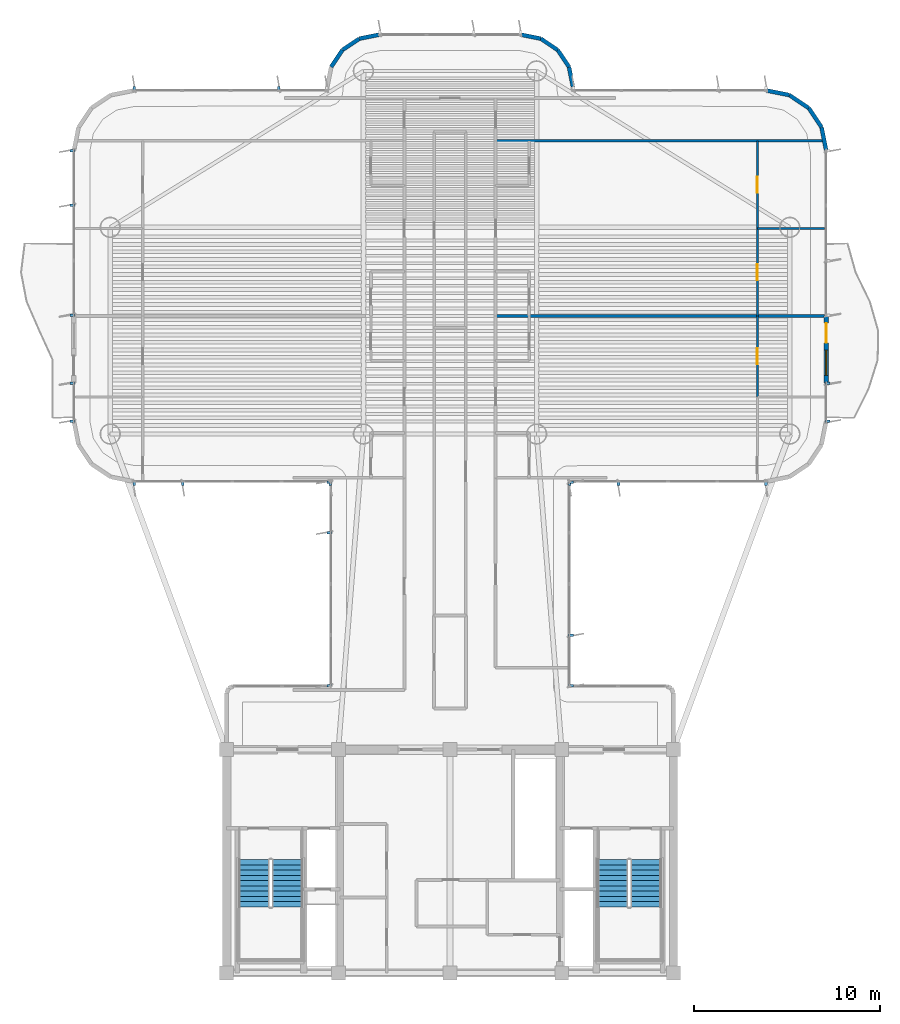
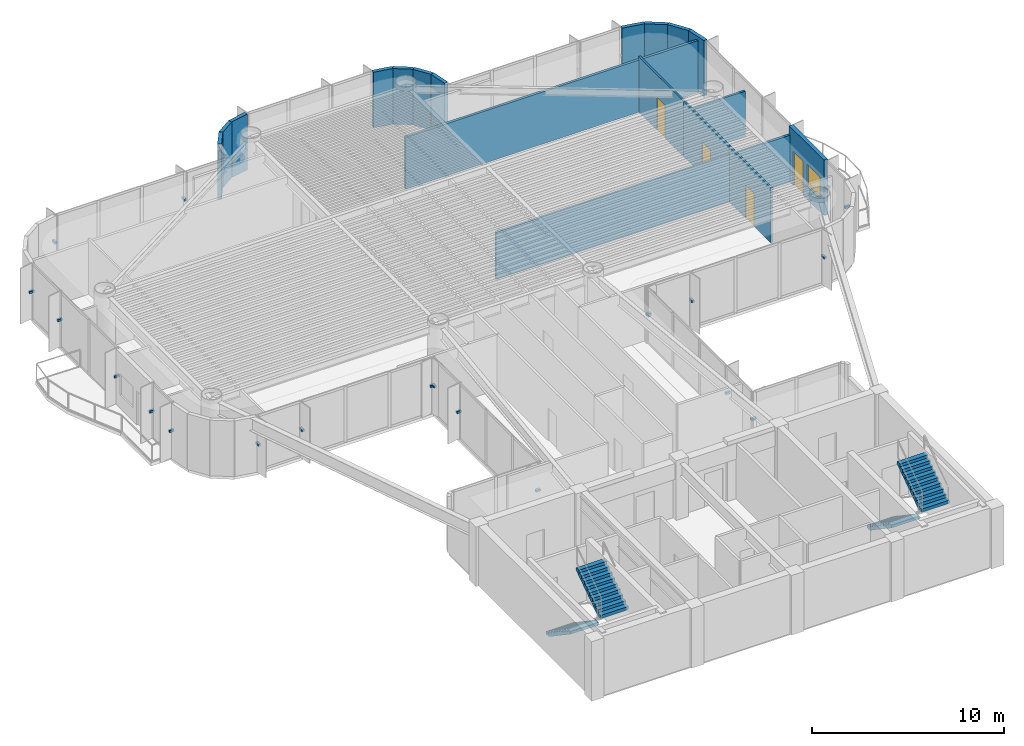
# One storey, part 12 of 15: 21 discrete accessories, 18 walls, 4 doors, 4 stair flights, 1 window, 5 openings, 2 elements without a shape of their own.
"""IFC4 building model written with IfcOpenShell, lengths in metres."""

from ifc_helpers import new_model, si_unit, direction, frame, frame_2d, origin, origin_2d, place, context, subcontext, project, spatial, polyline, rectangle, outline, extrude, source, transform, mapped, material, layer, layer_set, type_object, element, fill, aggregate, save


model = new_model("IFC4")

# Units and contexts
model_context = context("Model", 3, precision=1e-05, world=origin(), true_north=direction((0.0, 1.0)))
body_context = subcontext(model_context, "Body", "Model", "MODEL_VIEW")
ifc_project = project(units=[si_unit("LENGTHUNIT", "METRE"), si_unit("AREAUNIT", "SQUARE_METRE"), si_unit("VOLUMEUNIT", "CUBIC_METRE"), si_unit("PLANEANGLEUNIT", "RADIAN"), si_unit("MASSUNIT", "GRAM", prefix="KILO")], contexts=[model_context])

# Site, building, storey
site_placement = place(None, origin())
site = spatial("IfcSite", under=ifc_project, at=site_placement, CompositionType="ELEMENT")
building_placement = place(site_placement, origin())
building = spatial("IfcBuilding", under=site, at=building_placement, Name="Brelvock Crest Care Tower", CompositionType="ELEMENT")
storey_placement = place(building_placement, frame((0.0, 0.0, 160.199951171875)))
storey = spatial("IfcBuildingStorey", under=building, at=storey_placement, Name="L40", CompositionType="ELEMENT", Elevation=160.199951171875)

# Wall, openings, door, window
ifc_material_1 = material(Name="Precast concrete N40 (40 MPa)", Category="concrete")
ifc_layer_1 = layer(ifc_material_1, 0.239990234375, Name="WL-EX1")
ifc_layer_set_1 = layer_set([ifc_layer_1], Name="Precast concrete N40 (40 MPa)")
wall_type_1 = type_object("IfcWallType", Name="WL-EX1", PredefinedType="SOLIDWALL", material=ifc_layer_set_1)
wall_1_placement = place(storey_placement, frame((56.199951171875, 41.300048828125, 0.0), z_axis=(0.0, 0.0, 1.0), x_axis=(0.0, -1.0, 0.0)))
wall_1 = element("IfcWall", 1, at=wall_1_placement, inside=storey, type_object=wall_type_1, Name="L40 Exterior Spandrel Wall WL-BAL-L40-E", PredefinedType="SOLIDWALL", context=body_context, shape_type="SweptSolid", body=[
    extrude(rectangle(XDim=3.60009765625, YDim=0.239990234375, at=frame_2d((1.800048828125, 0.0))), origin(), (0.0, 0.0, 1.0), 3.530029296875),
])
opening_1_placement = place(wall_1_placement, frame((0.39990234375, 0.0, 0.0)))
opening_1 = element("IfcOpeningElement", 2, at=opening_1_placement, cuts=wall_1, Name="Opening BD-1", PredefinedType="OPENING", context=body_context, shape_type="SweptSolid", body=[
    extrude(rectangle(XDim=1.050048828125, YDim=2.14990234375, at=origin_2d()), frame((0.52490234375, 0.1298828125, 1.074951171875), z_axis=(0.0, -1.0, 0.0), x_axis=(1.0, 0.0, 0.0)), (0.0, 0.0, 1.0), 0.260009765625),
])
opening_2_placement = place(wall_1_placement, frame((1.85009765625, 0.0, 0.85009765625)))
opening_2 = element("IfcOpeningElement", 3, at=opening_2_placement, cuts=wall_1, Name="Opening W-01", PredefinedType="OPENING", context=body_context, shape_type="SweptSolid", body=[
    extrude(rectangle(XDim=1.35009765625, YDim=1.35009765625, at=origin_2d()), frame((0.675048828125, 0.1298828125, 0.675048828125), z_axis=(0.0, -1.0, 0.0), x_axis=(1.0, 0.0, 0.0)), (0.0, 0.0, 1.0), 0.260009765625),
])
ifc_material_2 = material(Name="Dark Glass Double Glazed Low-E", Category="glass")
door_type_1 = type_object("IfcDoorType", Name="DR-BAL1", OperationType="NOTDEFINED", PredefinedType="DOOR", material=ifc_material_2)
shared_shape_1 = source(origin(), body_context, "Body", "SweptSolid", [
    extrude(rectangle(XDim=1.050048828125, YDim=2.14990234375, at=origin_2d()), frame((0.52490234375, 0.02490234375, 1.074951171875), z_axis=(0.0, -1.0, 0.0), x_axis=(1.0, 0.0, 0.0)), (0.0, 0.0, 1.0), 0.050048828125),
])
door_1_placement = place(opening_1_placement, origin())
door_1 = element("IfcDoor", 4, at=door_1_placement, inside=storey, type_object=door_type_1, Name="L40 E Wave Balcony Glazed Door", OperationType="SINGLE_SWING_RIGHT", OverallHeight=2.14990234375, OverallWidth=1.050048828125, PredefinedType="DOOR", context=body_context, shape_type="MappedRepresentation", body=[
    mapped(shared_shape_1, transform((0.0, 0.0, 0.0), x_axis=(1.0, 0.0, 0.0), y_axis=(0.0, 1.0, 0.0), z_axis=(0.0, 0.0, 1.0), scale=1.0)),
])
fill(opening_1, door_1)
window_type = type_object("IfcWindowType", Name="WN-EX1", PartitioningType="SINGLE_PANEL", PredefinedType="WINDOW", material=ifc_material_2)
shared_shape_2 = source(origin(), body_context, "Body", "SweptSolid", [
    extrude(rectangle(XDim=1.35009765625, YDim=1.35009765625, at=origin_2d()), frame((0.675048828125, 0.030029296875, 0.675048828125), z_axis=(0.0, -1.0, 0.0), x_axis=(1.0, 0.0, 0.0)), (0.0, 0.0, 1.0), 0.06005859375),
])
window_placement = place(opening_2_placement, origin())
window = element("IfcWindow", 5, at=window_placement, inside=storey, type_object=window_type, Name="L40 E Suite Casement Window", OverallHeight=1.35009765625, OverallWidth=1.35009765625, PartitioningType="SINGLE_PANEL", PredefinedType="WINDOW", context=body_context, shape_type="MappedRepresentation", body=[
    mapped(shared_shape_2, transform((0.0, 0.0, 0.0), x_axis=(1.0, 0.0, 0.0), y_axis=(0.0, 1.0, 0.0), z_axis=(0.0, 0.0, 1.0), scale=1.0)),
])
fill(opening_2, window)

# Walls
ifc_layer_2 = layer(ifc_material_1, 0.215087890625, Name="WL-EX2")
ifc_layer_set_2 = layer_set([ifc_layer_2], Name="Precast concrete N40 (40 MPa)")
wall_type_2 = type_object("IfcWallType", Name="WL-EX2", PredefinedType="SOLIDWALL", material=ifc_layer_set_2)
wall_2_placement = place(storey_placement, frame((29.613037109375, 54.67138671875, 0.0), z_axis=(0.0, 0.0, 1.0), x_axis=(0.555679482341, 0.831396603857, 0.0)))
element("IfcWall", 6, at=wall_2_placement, inside=storey, type_object=wall_type_2, Name="L40 Rounded Corner Wall 25", PredefinedType="SOLIDWALL", context=body_context, shape_type="SweptSolid", body=[
    extrude(rectangle(XDim=1.0927734375, YDim=0.215087890625, at=frame_2d((0.54638671875, 0.0))), origin(), (0.0, 0.0, 1.0), 3.530029296875),
])
for number, where, z_axis, x_axis, name in (
    (7, (30.22021484375, 55.579833984375, 0.0), (0.0, 0.0, 1.0), (0.831327592857, 0.555782721353, 0.0), "L40 Rounded Corner Wall 26"),
    (8, (31.12841796875, 56.18701171875, 0.0), (0.0, 0.0, 1.0), (0.980829143587, 0.194869677195, 0.0), "L40 Rounded Corner Wall 27"),
    (9, (39.800048828125, 56.39990234375, 0.0), (0.0, 0.0, 1.0), (0.980829143587, -0.194869677195, 0.0), "L40 Rounded Corner Wall 29"),
    (10, (40.87158203125, 56.18701171875, 0.0), (0.0, 0.0, 1.0), (0.831327592857, -0.555782721353, 0.0), "L40 Rounded Corner Wall 30"),
):
    element("IfcWall", number, at=place(storey_placement, frame(where, z_axis=z_axis, x_axis=x_axis)), inside=storey, type_object=wall_type_2, Name=name, PredefinedType="SOLIDWALL", context=body_context, shape_type="SweptSolid", body=[
        extrude(rectangle(XDim=1.092529296875, YDim=0.215087890625, at=frame_2d((0.54638671875, 0.0))), origin(), (0.0, 0.0, 1.0), 3.530029296875),
    ])
wall_3_placement = place(storey_placement, frame((41.77978515625, 55.579833984375, 0.0), z_axis=(0.0, 0.0, 1.0), x_axis=(0.555679482341, -0.831396603857, 0.0)))
element("IfcWall", 11, at=wall_3_placement, inside=storey, type_object=wall_type_2, Name="L40 Rounded Corner Wall 31", PredefinedType="SOLIDWALL", context=body_context, shape_type="SweptSolid", body=[
    extrude(rectangle(XDim=1.0927734375, YDim=0.215087890625, at=frame_2d((0.54638671875, 0.0))), origin(), (0.0, 0.0, 1.0), 3.530029296875),
])
wall_4_placement = place(storey_placement, frame((42.386962890625, 54.67138671875, 0.0), z_axis=(0.0, 0.0, 1.0), x_axis=(0.195127417394, -0.980777900945, 0.0)))
element("IfcWall", 12, at=wall_4_placement, inside=storey, type_object=wall_type_2, Name="L40 Rounded Corner Wall 32", PredefinedType="SOLIDWALL", context=body_context, shape_type="SweptSolid", body=[
    extrude(rectangle(XDim=1.09228515625, YDim=0.215087890625, at=frame_2d((0.546142578125, 0.0))), origin(), (0.0, 0.0, 1.0), 3.530029296875),
])
for number, where, z_axis, x_axis, name in (
    (13, (53.0, 53.39990234375, 0.0), (0.0, 0.0, 1.0), (0.980813122964, -0.194950295773, 0.0), "L40 Rounded Corner Wall 35"),
    (14, (54.224609375, 53.156494140625, 0.0), (0.0, 0.0, 1.0), (0.831387912822, -0.555692485475, 0.0), "L40 Rounded Corner Wall 36"),
    (15, (55.2626953125, 52.462646484375, 0.0), (0.0, 0.0, 1.0), (0.555557312883, -0.831478245117, 0.0), "L40 Rounded Corner Wall 37"),
    (16, (55.956298828125, 51.424560546875, 0.0), (0.0, 0.0, 1.0), (0.195138390419, -0.980775717779, 0.0), "L40 Rounded Corner Wall 38"),
):
    element("IfcWall", number, at=place(storey_placement, frame(where, z_axis=z_axis, x_axis=x_axis)), inside=storey, type_object=wall_type_2, Name=name, PredefinedType="SOLIDWALL", context=body_context, shape_type="SweptSolid", body=[
        extrude(rectangle(XDim=1.24853515625, YDim=0.215087890625, at=frame_2d((0.624267578125, 0.0))), origin(), (0.0, 0.0, 1.0), 3.530029296875),
    ])
ifc_material_3 = material(Name="Masonry Blockwork Acoustic Partition", Category="masonry")
ifc_layer_3 = layer(ifc_material_3, 0.14990234375, Name="WL-INT1")
ifc_layer_set_3 = layer_set([ifc_layer_3], Name="Masonry Blockwork Acoustic Partition")
wall_type_3 = type_object("IfcWallType", Name="WL-INT1", PredefinedType="PARTITIONING", material=ifc_layer_set_3)
wall_5_placement = place(storey_placement, frame((38.449951171875, 41.2880859375, 0.0), z_axis=(0.0, 0.0, 1.0), x_axis=(1.0, 0.0, 0.0)))
element("IfcWall", 17, at=wall_5_placement, inside=storey, type_object=wall_type_3, Name="L40 Interior Wall WL-BX-L40-FL-EF1-N", PredefinedType="PARTITIONING", context=body_context, shape_type="SweptSolid", body=[
    extrude(rectangle(XDim=17.670166015625, YDim=0.14990234375, at=frame_2d((8.8349609375, 0.0))), origin(), (0.0, 0.0, 1.0), 2.98193359375),
])
wall_6_placement = place(storey_placement, frame((38.449951171875, 50.699951171875, 0.0), z_axis=(0.0, 0.0, 1.0), x_axis=(1.0, 0.0, 0.0)))
element("IfcWall", 18, at=wall_6_placement, inside=storey, type_object=wall_type_3, Name="L40 Interior Wall WL-BX-L40-FL-EF2-N", PredefinedType="PARTITIONING", context=body_context, shape_type="SweptSolid", body=[
    extrude(rectangle(XDim=17.569091796875, YDim=0.14990234375, at=frame_2d((8.78466796875, 0.0))), origin(), (0.0, 0.0, 1.0), 3.30810546875),
])
ifc_material_4 = material(Name="Gypsum Plasterboard Partition", Category="gypsum")
ifc_layer_4 = layer(ifc_material_4, 0.1201171875, Name="WL-INT2")
ifc_layer_set_4 = layer_set([ifc_layer_4], Name="Gypsum Plasterboard Partition")
wall_type_4 = type_object("IfcWallType", Name="WL-INT2", PredefinedType="PARTITIONING", material=ifc_layer_set_4)
wall_7_placement = place(storey_placement, frame((52.510009765625, 45.993896484375, 0.0), z_axis=(0.0, 0.0, 1.0), x_axis=(1.0, 0.0, 0.0)))
element("IfcWall", 19, at=wall_7_placement, inside=storey, type_object=wall_type_4, Name="L40 Interior Wall WL-UBSP-L40-EF2", PredefinedType="PARTITIONING", context=body_context, shape_type="SweptSolid", body=[
    extrude(rectangle(XDim=3.610107421875, YDim=0.1201171875, at=frame_2d((1.80517578125, 0.0))), origin(), (0.0, 0.0, 1.0), 2.903076171875),
])

# Wall, opening, door
wall_8_placement = place(storey_placement, frame((52.510009765625, 36.944091796875, 0.0), z_axis=(0.0, 0.0, 1.0), x_axis=(0.0, 1.0, 0.0)))
wall_8 = element("IfcWall", 20, at=wall_8_placement, inside=storey, type_object=wall_type_4, Name="L40 Interior Wall WL-UBD2-L40-EF1", PredefinedType="PARTITIONING", context=body_context, shape_type="SweptSolid", body=[
    extrude(rectangle(XDim=4.343994140625, YDim=0.1201171875, at=frame_2d((2.171875, 0.0))), origin(), (0.0, 0.0, 1.0), 3.5),
])
opening_3_placement = place(wall_8_placement, frame((1.741943359375, 0.0, 0.0)))
opening_3 = element("IfcOpeningElement", 21, at=opening_3_placement, cuts=wall_8, Name="Opening ID-1", PredefinedType="OPENING", context=body_context, shape_type="SweptSolid", body=[
    extrude(rectangle(XDim=0.860107421875, YDim=2.10009765625, at=origin_2d()), frame((0.43017578125, 0.070068359375, 1.050048828125), z_axis=(0.0, -1.0, 0.0), x_axis=(1.0, 0.0, 0.0)), (0.0, 0.0, 1.0), 0.14013671875),
])
ifc_material_5 = material(Name="Engineered Hardwood Timber", Category="wood")
door_type_2 = type_object("IfcDoorType", Name="DR-INT1", OperationType="NOTDEFINED", PredefinedType="DOOR", material=ifc_material_5)
shared_shape_3 = source(origin(), body_context, "Body", "SweptSolid", [
    extrude(rectangle(XDim=0.860107421875, YDim=2.10009765625, at=origin_2d()), frame((0.43017578125, 0.02490234375, 1.050048828125), z_axis=(0.0, -1.0, 0.0), x_axis=(1.0, 0.0, 0.0)), (0.0, 0.0, 1.0), 0.050048828125),
])
door_2_placement = place(opening_3_placement, origin())
door_2 = element("IfcDoor", 22, at=door_2_placement, inside=storey, type_object=door_type_2, Name="L40 Second Room Door EF1", OperationType="SINGLE_SWING_LEFT", OverallHeight=2.10009765625, OverallWidth=0.860107421875, PredefinedType="DOOR", context=body_context, shape_type="MappedRepresentation", body=[
    mapped(shared_shape_3, transform((0.0, 0.0, 0.0), x_axis=(1.0, 0.0, 0.0), y_axis=(0.0, 1.0, 0.0), z_axis=(0.0, 0.0, 1.0), scale=1.0)),
])
fill(opening_3, door_2)

wall_9_placement = place(storey_placement, frame((52.510009765625, 41.2880859375, 0.0), z_axis=(0.0, 0.0, 1.0), x_axis=(0.0, 1.0, 0.0)))
wall_9 = element("IfcWall", 23, at=wall_9_placement, inside=storey, type_object=wall_type_4, Name="L40 Interior Wall WL-UBD1-L40-EF2", PredefinedType="PARTITIONING", context=body_context, shape_type="SweptSolid", body=[
    extrude(rectangle(XDim=4.705810546875, YDim=0.1201171875, at=frame_2d((2.35302734375, 0.0))), origin(), (0.0, 0.0, 1.0), 3.5),
])
opening_4_placement = place(wall_9_placement, frame((1.923095703125, 0.0, 0.0)))
opening_4 = element("IfcOpeningElement", 24, at=opening_4_placement, cuts=wall_9, Name="Opening ID-1", PredefinedType="OPENING", context=body_context, shape_type="SweptSolid", body=[
    extrude(rectangle(XDim=0.860107421875, YDim=2.10009765625, at=origin_2d()), frame((0.43017578125, 0.070068359375, 1.050048828125), z_axis=(0.0, -1.0, 0.0), x_axis=(1.0, 0.0, 0.0)), (0.0, 0.0, 1.0), 0.14013671875),
])
door_3_placement = place(opening_4_placement, origin())
door_3 = element("IfcDoor", 25, at=door_3_placement, inside=storey, type_object=door_type_2, Name="L40 Primary Bedroom Door EF2", OperationType="SINGLE_SWING_RIGHT", OverallHeight=2.10009765625, OverallWidth=0.860107421875, PredefinedType="DOOR", context=body_context, shape_type="MappedRepresentation", body=[
    mapped(shared_shape_3, transform((0.0, 0.0, 0.0), x_axis=(1.0, 0.0, 0.0), y_axis=(0.0, 1.0, 0.0), z_axis=(0.0, 0.0, 1.0), scale=1.0)),
])
fill(opening_4, door_3)

wall_10_placement = place(storey_placement, frame((52.510009765625, 45.993896484375, 0.0), z_axis=(0.0, 0.0, 1.0), x_axis=(0.0, 1.0, 0.0)))
wall_10 = element("IfcWall", 26, at=wall_10_placement, inside=storey, type_object=wall_type_4, Name="L40 Interior Wall WL-UBD2-L40-EF2", PredefinedType="PARTITIONING", context=body_context, shape_type="SweptSolid", body=[
    extrude(rectangle(XDim=4.7060546875, YDim=0.1201171875, at=frame_2d((2.35302734375, 0.0))), origin(), (0.0, 0.0, 1.0), 3.5),
])
opening_5_placement = place(wall_10_placement, frame((1.923095703125, 0.0, 0.0)))
opening_5 = element("IfcOpeningElement", 27, at=opening_5_placement, cuts=wall_10, Name="Opening ID-1", PredefinedType="OPENING", context=body_context, shape_type="SweptSolid", body=[
    extrude(rectangle(XDim=0.860107421875, YDim=2.10009765625, at=origin_2d()), frame((0.43017578125, 0.070068359375, 1.050048828125), z_axis=(0.0, -1.0, 0.0), x_axis=(1.0, 0.0, 0.0)), (0.0, 0.0, 1.0), 0.14013671875),
])
door_4_placement = place(opening_5_placement, origin())
door_4 = element("IfcDoor", 28, at=door_4_placement, inside=storey, type_object=door_type_2, Name="L40 Second Room Door EF2", OperationType="SINGLE_SWING_LEFT", OverallHeight=2.10009765625, OverallWidth=0.860107421875, PredefinedType="DOOR", context=body_context, shape_type="MappedRepresentation", body=[
    mapped(shared_shape_3, transform((0.0, 0.0, 0.0), x_axis=(1.0, 0.0, 0.0), y_axis=(0.0, 1.0, 0.0), z_axis=(0.0, 0.0, 1.0), scale=1.0)),
])
fill(opening_5, door_4)

# Stair, stair flights
ifc_material_6 = material(Name="Concrete N40 (40 MPa)", Category="concrete")
stair_type = type_object("IfcStairType", Name="ST-CORE1", PredefinedType="HALF_TURN_STAIR", material=ifc_material_6)
stair_1_placement = place(storey_placement, origin())
stair_1 = element("IfcStair", 29, at=stair_1_placement, inside=storey, type_object=stair_type, Name="L40 Fire-Isolated Core Stair ST-1", PredefinedType="HALF_TURN_STAIR")
stair_flight_type = type_object("IfcStairFlightType", Name="STF-1", PredefinedType="STRAIGHT", material=ifc_material_6)
stair_flight_1_placement = place(storey_placement, frame((25.469970703125, 12.080078125, 0.0), z_axis=(0.0, 0.0, 1.0), x_axis=(0.0, -1.0, 0.0)))
stair_flight_1 = element("IfcStairFlight", 30, at=stair_flight_1_placement, type_object=stair_flight_type, Name="ST-1 flight 1", NumberOfRisers=10, NumberOfTreads=9, PredefinedType="STRAIGHT", RiserHeight=0.189, TreadLength=0.28, context=body_context, shape_type="SweptSolid", body=[
    extrude(outline(polyline([(-0.00390625, -0.014892578125), (-0.00390625, -0.0078125), (-0.00390625, -0.00048828125), (-0.00390625, 0.0068359375), (-0.00390625, 0.01416015625), (-0.00390625, 0.021484375), (-0.00390625, 0.02880859375), (-0.00390625, 0.035888671875), (-0.00390625, 0.043212890625), (-0.00390625, 0.050537109375), (-0.00390625, 0.057861328125), (-0.00390625, 0.065185546875), (-0.00390625, 0.072509765625), (-0.00390625, 0.07958984375), (-0.00390625, 0.0869140625), (-0.00390625, 0.09423828125), (-0.00390625, 0.1015625), (-0.00390625, 0.10888671875), (-0.00390625, 0.1162109375), (-0.00390625, 0.12353515625), (-0.00390625, 0.130615234375), (-0.00390625, 0.137939453125), (-0.00390625, 0.145263671875), (-0.00390625, 0.152587890625), (-0.00390625, 0.159912109375), (-0.00390625, 0.167236328125), (-0.00390625, 0.17431640625), (-0.00390625, 0.181640625), (-0.00390625, 0.18896484375), (0.0, 0.18896484375), (0.280029296875, 0.18896484375), (0.280029296875, 0.3779296875), (0.56005859375, 0.3779296875), (0.56005859375, 0.56689453125), (0.840087890625, 0.56689453125), (0.840087890625, 0.756103515625), (1.1201171875, 0.756103515625), (1.1201171875, 0.945068359375), (1.39990234375, 0.945068359375), (1.39990234375, 1.134033203125), (1.679931640625, 1.134033203125), (1.679931640625, 1.322998046875), (1.9599609375, 1.322998046875), (1.9599609375, 1.511962890625), (2.239990234375, 1.511962890625), (2.239990234375, 1.700927734375), (2.52001953125, 1.700927734375), (2.52392578125, 1.700927734375), (2.523681640625, 1.70068359375), (2.52392578125, 1.700439453125), (2.523681640625, 1.699951171875), (2.52392578125, 1.69970703125), (2.523681640625, 1.699462890625), (2.52392578125, 1.698974609375), (2.523681640625, 1.69873046875), (2.52392578125, 1.698486328125), (2.523681640625, 1.697998046875), (2.52392578125, 1.69775390625), (2.523681640625, 1.697509765625), (2.52392578125, 1.697021484375), (2.523681640625, 1.69677734375), (2.52392578125, 1.696533203125), (2.523681640625, 1.6962890625), (2.52392578125, 1.69580078125), (2.523681640625, 1.695556640625), (2.52392578125, 1.6953125), (2.523681640625, 1.69482421875), (2.52392578125, 1.694580078125), (2.523681640625, 1.6943359375), (2.52392578125, 1.69384765625), (2.523681640625, 1.693603515625), (2.52392578125, 1.693359375), (2.523681640625, 1.69287109375), (2.52392578125, 1.692626953125), (2.523681640625, 1.6923828125), (2.52392578125, 1.69189453125), (2.52001953125, 1.520263671875), (0.267822265625, 0.0), (0.0, 0.0), (0.0, -0.014892578125), (-0.00390625, -0.014892578125)])), frame((0.0, 0.83984375, 0.0), z_axis=(0.0, -1.0, 0.0), x_axis=(1.0, 0.0, 0.0)), (0.0, 0.0, 1.0), 1.679931640625),
])
stair_flight_2_placement = place(storey_placement, frame((27.27001953125, 9.56005859375, 1.89013671875), z_axis=(0.0, 0.0, 1.0), x_axis=(0.0, 1.0, 0.0)))
stair_flight_2 = element("IfcStairFlight", 31, at=stair_flight_2_placement, type_object=stair_flight_type, Name="ST-1 flight 2", NumberOfRisers=10, NumberOfTreads=9, PredefinedType="STRAIGHT", RiserHeight=0.189, TreadLength=0.28, context=body_context, shape_type="SweptSolid", body=[
    extrude(outline(polyline([(-0.00390625, -0.014892578125), (-0.00390625, -0.0078125), (-0.00390625, -0.00048828125), (-0.00390625, 0.0068359375), (-0.00390625, 0.01416015625), (-0.00390625, 0.021484375), (-0.00390625, 0.02880859375), (-0.00390625, 0.035888671875), (-0.00390625, 0.043212890625), (-0.00390625, 0.050537109375), (-0.00390625, 0.057861328125), (-0.00390625, 0.065185546875), (-0.00390625, 0.072509765625), (-0.00390625, 0.07958984375), (-0.00390625, 0.0869140625), (-0.00390625, 0.09423828125), (-0.00390625, 0.1015625), (-0.00390625, 0.10888671875), (-0.00390625, 0.1162109375), (-0.00390625, 0.12353515625), (-0.00390625, 0.130615234375), (-0.00390625, 0.137939453125), (-0.00390625, 0.145263671875), (-0.00390625, 0.152587890625), (-0.00390625, 0.159912109375), (-0.00390625, 0.167236328125), (-0.00390625, 0.17431640625), (-0.00390625, 0.181640625), (-0.00390625, 0.18896484375), (0.0, 0.18896484375), (0.280029296875, 0.18896484375), (0.280029296875, 0.3779296875), (0.56005859375, 0.3779296875), (0.56005859375, 0.56689453125), (0.840087890625, 0.56689453125), (0.840087890625, 0.756103515625), (1.1201171875, 0.756103515625), (1.1201171875, 0.945068359375), (1.39990234375, 0.945068359375), (1.39990234375, 1.134033203125), (1.679931640625, 1.134033203125), (1.679931640625, 1.322998046875), (1.9599609375, 1.322998046875), (1.9599609375, 1.511962890625), (2.239990234375, 1.511962890625), (2.239990234375, 1.700927734375), (2.52001953125, 1.700927734375), (2.52392578125, 1.700927734375), (2.523681640625, 1.70068359375), (2.52392578125, 1.700439453125), (2.523681640625, 1.699951171875), (2.52392578125, 1.69970703125), (2.523681640625, 1.699462890625), (2.52392578125, 1.698974609375), (2.523681640625, 1.69873046875), (2.52392578125, 1.698486328125), (2.523681640625, 1.697998046875), (2.52392578125, 1.69775390625), (2.523681640625, 1.697509765625), (2.52392578125, 1.697021484375), (2.523681640625, 1.69677734375), (2.52392578125, 1.696533203125), (2.523681640625, 1.6962890625), (2.52392578125, 1.69580078125), (2.523681640625, 1.695556640625), (2.52392578125, 1.6953125), (2.523681640625, 1.69482421875), (2.52392578125, 1.694580078125), (2.523681640625, 1.6943359375), (2.52392578125, 1.69384765625), (2.523681640625, 1.693603515625), (2.52392578125, 1.693359375), (2.523681640625, 1.69287109375), (2.52392578125, 1.692626953125), (2.523681640625, 1.6923828125), (2.52392578125, 1.69189453125), (2.52001953125, 1.520263671875), (0.267822265625, 0.0), (0.0, 0.0), (0.0, -0.014892578125), (-0.00390625, -0.014892578125)])), frame((0.0, 0.83984375, 0.0), z_axis=(0.0, -1.0, 0.0), x_axis=(1.0, 0.0, 0.0)), (0.0, 0.0, 1.0), 1.679931640625),
])
aggregate(stair_1, [stair_flight_1, stair_flight_2])

stair_2_placement = place(storey_placement, origin())
stair_2 = element("IfcStair", 32, at=stair_2_placement, inside=storey, type_object=stair_type, Name="L40 Fire-Isolated Core Stair ST-2", PredefinedType="HALF_TURN_STAIR")
stair_flight_3_placement = place(storey_placement, frame((44.72998046875, 12.080078125, 0.0), z_axis=(0.0, 0.0, 1.0), x_axis=(0.0, -1.0, 0.0)))
stair_flight_3 = element("IfcStairFlight", 33, at=stair_flight_3_placement, type_object=stair_flight_type, Name="ST-2 flight 1", NumberOfRisers=10, NumberOfTreads=9, PredefinedType="STRAIGHT", RiserHeight=0.189, TreadLength=0.28, context=body_context, shape_type="SweptSolid", body=[
    extrude(outline(polyline([(-0.00390625, -0.014892578125), (-0.00390625, -0.0078125), (-0.00390625, -0.00048828125), (-0.00390625, 0.0068359375), (-0.00390625, 0.01416015625), (-0.00390625, 0.021484375), (-0.00390625, 0.02880859375), (-0.00390625, 0.035888671875), (-0.00390625, 0.043212890625), (-0.00390625, 0.050537109375), (-0.00390625, 0.057861328125), (-0.00390625, 0.065185546875), (-0.00390625, 0.072509765625), (-0.00390625, 0.07958984375), (-0.00390625, 0.0869140625), (-0.00390625, 0.09423828125), (-0.00390625, 0.1015625), (-0.00390625, 0.10888671875), (-0.00390625, 0.1162109375), (-0.00390625, 0.12353515625), (-0.00390625, 0.130615234375), (-0.00390625, 0.137939453125), (-0.00390625, 0.145263671875), (-0.00390625, 0.152587890625), (-0.00390625, 0.159912109375), (-0.00390625, 0.167236328125), (-0.00390625, 0.17431640625), (-0.00390625, 0.181640625), (-0.00390625, 0.18896484375), (0.0, 0.18896484375), (0.280029296875, 0.18896484375), (0.280029296875, 0.3779296875), (0.56005859375, 0.3779296875), (0.56005859375, 0.56689453125), (0.840087890625, 0.56689453125), (0.840087890625, 0.756103515625), (1.1201171875, 0.756103515625), (1.1201171875, 0.945068359375), (1.39990234375, 0.945068359375), (1.39990234375, 1.134033203125), (1.679931640625, 1.134033203125), (1.679931640625, 1.322998046875), (1.9599609375, 1.322998046875), (1.9599609375, 1.511962890625), (2.239990234375, 1.511962890625), (2.239990234375, 1.700927734375), (2.52001953125, 1.700927734375), (2.52392578125, 1.700927734375), (2.523681640625, 1.70068359375), (2.52392578125, 1.700439453125), (2.523681640625, 1.699951171875), (2.52392578125, 1.69970703125), (2.523681640625, 1.699462890625), (2.52392578125, 1.698974609375), (2.523681640625, 1.69873046875), (2.52392578125, 1.698486328125), (2.523681640625, 1.697998046875), (2.52392578125, 1.69775390625), (2.523681640625, 1.697509765625), (2.52392578125, 1.697021484375), (2.523681640625, 1.69677734375), (2.52392578125, 1.696533203125), (2.523681640625, 1.6962890625), (2.52392578125, 1.69580078125), (2.523681640625, 1.695556640625), (2.52392578125, 1.6953125), (2.523681640625, 1.69482421875), (2.52392578125, 1.694580078125), (2.523681640625, 1.6943359375), (2.52392578125, 1.69384765625), (2.523681640625, 1.693603515625), (2.52392578125, 1.693359375), (2.523681640625, 1.69287109375), (2.52392578125, 1.692626953125), (2.523681640625, 1.6923828125), (2.52392578125, 1.69189453125), (2.52001953125, 1.520263671875), (0.267822265625, 0.0), (0.0, 0.0), (0.0, -0.014892578125), (-0.00390625, -0.014892578125)])), frame((0.0, 0.83984375, 0.0), z_axis=(0.0, -1.0, 0.0), x_axis=(1.0, 0.0, 0.0)), (0.0, 0.0, 1.0), 1.679931640625),
])
stair_flight_4_placement = place(storey_placement, frame((46.530029296875, 9.56005859375, 1.89013671875), z_axis=(0.0, 0.0, 1.0), x_axis=(0.0, 1.0, 0.0)))
stair_flight_4 = element("IfcStairFlight", 34, at=stair_flight_4_placement, type_object=stair_flight_type, Name="ST-2 flight 2", NumberOfRisers=10, NumberOfTreads=9, PredefinedType="STRAIGHT", RiserHeight=0.189, TreadLength=0.28, context=body_context, shape_type="SweptSolid", body=[
    extrude(outline(polyline([(-0.00390625, -0.014892578125), (-0.00390625, -0.0078125), (-0.00390625, -0.00048828125), (-0.00390625, 0.0068359375), (-0.00390625, 0.01416015625), (-0.00390625, 0.021484375), (-0.00390625, 0.02880859375), (-0.00390625, 0.035888671875), (-0.00390625, 0.043212890625), (-0.00390625, 0.050537109375), (-0.00390625, 0.057861328125), (-0.00390625, 0.065185546875), (-0.00390625, 0.072509765625), (-0.00390625, 0.07958984375), (-0.00390625, 0.0869140625), (-0.00390625, 0.09423828125), (-0.00390625, 0.1015625), (-0.00390625, 0.10888671875), (-0.00390625, 0.1162109375), (-0.00390625, 0.12353515625), (-0.00390625, 0.130615234375), (-0.00390625, 0.137939453125), (-0.00390625, 0.145263671875), (-0.00390625, 0.152587890625), (-0.00390625, 0.159912109375), (-0.00390625, 0.167236328125), (-0.00390625, 0.17431640625), (-0.00390625, 0.181640625), (-0.00390625, 0.18896484375), (0.0, 0.18896484375), (0.280029296875, 0.18896484375), (0.280029296875, 0.3779296875), (0.56005859375, 0.3779296875), (0.56005859375, 0.56689453125), (0.840087890625, 0.56689453125), (0.840087890625, 0.756103515625), (1.1201171875, 0.756103515625), (1.1201171875, 0.945068359375), (1.39990234375, 0.945068359375), (1.39990234375, 1.134033203125), (1.679931640625, 1.134033203125), (1.679931640625, 1.322998046875), (1.9599609375, 1.322998046875), (1.9599609375, 1.511962890625), (2.239990234375, 1.511962890625), (2.239990234375, 1.700927734375), (2.52001953125, 1.700927734375), (2.52392578125, 1.700927734375), (2.523681640625, 1.70068359375), (2.52392578125, 1.700439453125), (2.523681640625, 1.699951171875), (2.52392578125, 1.69970703125), (2.523681640625, 1.699462890625), (2.52392578125, 1.698974609375), (2.523681640625, 1.69873046875), (2.52392578125, 1.698486328125), (2.523681640625, 1.697998046875), (2.52392578125, 1.69775390625), (2.523681640625, 1.697509765625), (2.52392578125, 1.697021484375), (2.523681640625, 1.69677734375), (2.52392578125, 1.696533203125), (2.523681640625, 1.6962890625), (2.52392578125, 1.69580078125), (2.523681640625, 1.695556640625), (2.52392578125, 1.6953125), (2.523681640625, 1.69482421875), (2.52392578125, 1.694580078125), (2.523681640625, 1.6943359375), (2.52392578125, 1.69384765625), (2.523681640625, 1.693603515625), (2.52392578125, 1.693359375), (2.523681640625, 1.69287109375), (2.52392578125, 1.692626953125), (2.523681640625, 1.6923828125), (2.52392578125, 1.69189453125), (2.52001953125, 1.520263671875), (0.267822265625, 0.0), (0.0, 0.0), (0.0, -0.014892578125), (-0.00390625, -0.014892578125)])), frame((0.0, 0.83984375, 0.0), z_axis=(0.0, -1.0, 0.0), x_axis=(1.0, 0.0, 0.0)), (0.0, 0.0, 1.0), 1.679931640625),
])
aggregate(stair_2, [stair_flight_3, stair_flight_4])

# Discrete accessories
ifc_material_7 = material(Name="Steel Grade 350", Category="steel")
discrete_accessory_type = type_object("IfcDiscreteAccessoryType", Name="ACC-BRK1", PredefinedType="BRACKET", material=ifc_material_7)
shared_shape_4 = source(origin(), body_context, "Body", "SweptSolid", [
    extrude(rectangle(XDim=0.280029296875, YDim=0.139892578125, at=origin_2d()), origin(), (0.0, 0.0, 1.0), 0.139892578125),
])
for number, where, z_axis, x_axis, name in (
    (35, (29.52001953125, 21.429931640625, 1.6953125), (0.0, 0.0, 1.0), (-1.0, 0.0, 0.0), "L40 Facade Fin Bracket E11-01"),
    (36, (29.52001953125, 29.64990234375, 1.6953125), (0.0, 0.0, 1.0), (-1.0, 0.0, 0.0), "L40 Facade Fin Bracket E11-04"),
    (37, (29.52001953125, 32.3701171875, 1.6953125), (0.0, 0.0, 1.0), (-1.0, 0.0, 0.0), "L40 Facade Fin Bracket E11-05"),
    (38, (29.570068359375, 32.320068359375, 1.6953125), (0.0, 0.0, 1.0), (0.0, -1.0, 0.0), "L40 Facade Fin Bracket E12-01"),
    (39, (21.64990234375, 32.320068359375, 1.6953125), (0.0, 0.0, 1.0), (0.0, -1.0, 0.0), "L40 Facade Fin Bracket E12-04"),
    (40, (19.030029296875, 32.320068359375, 1.6953125), (0.0, 0.0, 1.0), (0.0, -1.0, 0.0), "L40 Facade Fin Bracket E12-05"),
    (41, (15.719970703125, 35.6298828125, 1.6953125), (0.0, 0.0, 1.0), (-1.0, 0.0, 0.0), "L40 Facade Fin Bracket E17A-01"),
    (42, (15.719970703125, 37.669921875, 1.6953125), (0.0, 0.0, 1.0), (-1.0, 0.0, 0.0), "L40 Facade Fin Bracket E17A-02"),
    (43, (15.719970703125, 41.330078125, 1.6953125), (0.0, 0.0, 1.0), (-1.0, 0.0, 0.0), "L40 Facade Fin Bracket E17B-01"),
    (44, (15.719970703125, 47.2333984375, 1.6953125), (0.0, 0.0, 1.0), (-1.0, 0.0, 0.0), "L40 Facade Fin Bracket E17B-03"),
    (45, (15.719970703125, 50.169921875, 1.6953125), (0.0, 0.0, 1.0), (-1.0, 0.0, 0.0), "L40 Facade Fin Bracket E17B-04"),
    (46, (19.030029296875, 53.47998046875, 1.6953125), (0.0, 0.0, 1.0), (0.0, 1.0, 0.0), "L40 Facade Fin Bracket E22-01"),
    (47, (26.800048828125, 53.47998046875, 1.6953125), (0.0, 0.0, 1.0), (0.0, 1.0, 0.0), "L40 Facade Fin Bracket E22-04"),
    (48, (56.280029296875, 37.669921875, 1.6953125), (0.0, 0.0, 1.0), (1.0, 0.0, 0.0), "L40 Facade Fin Bracket E39B-01"),
    (49, (56.280029296875, 35.6298828125, 1.6953125), (0.0, 0.0, 1.0), (1.0, 0.0, 0.0), "L40 Facade Fin Bracket E39B-02"),
    (50, (52.969970703125, 32.320068359375, 1.6953125), (0.0, 0.0, 1.0), (0.0, -1.0, 0.0), "L40 Facade Fin Bracket E44-01"),
    (51, (45.050048828125, 32.320068359375, 1.6953125), (0.0, 0.0, 1.0), (0.0, -1.0, 0.0), "L40 Facade Fin Bracket E44-04"),
    (52, (42.429931640625, 32.320068359375, 1.6953125), (0.0, 0.0, 1.0), (0.0, -1.0, 0.0), "L40 Facade Fin Bracket E44-05"),
    (53, (42.47998046875, 32.3701171875, 1.6953125), (0.0, 0.0, 1.0), (1.0, 0.0, 0.0), "L40 Facade Fin Bracket E45-01"),
    (54, (42.47998046875, 24.14990234375, 1.6953125), (0.0, 0.0, 1.0), (1.0, 0.0, 0.0), "L40 Facade Fin Bracket E45-04"),
    (55, (42.47998046875, 21.429931640625, 1.6953125), (0.0, 0.0, 1.0), (1.0, 0.0, 0.0), "L40 Facade Fin Bracket E45-05"),
):
    element("IfcDiscreteAccessory", number, at=place(storey_placement, frame(where, z_axis=z_axis, x_axis=x_axis)), inside=storey, type_object=discrete_accessory_type, Name=name, PredefinedType="BRACKET", context=body_context, shape_type="MappedRepresentation", body=[
        mapped(shared_shape_4, transform((0.0, 0.0, 0.0), x_axis=(1.0, 0.0, 0.0), y_axis=(0.0, 1.0, 0.0), z_axis=(0.0, 0.0, 1.0), scale=1.0)),
    ])

save(model, "model.ifc")
